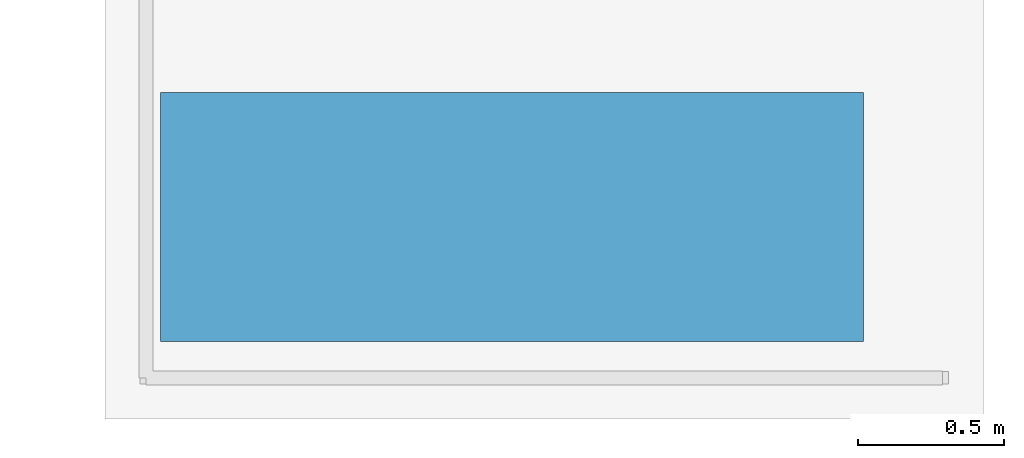
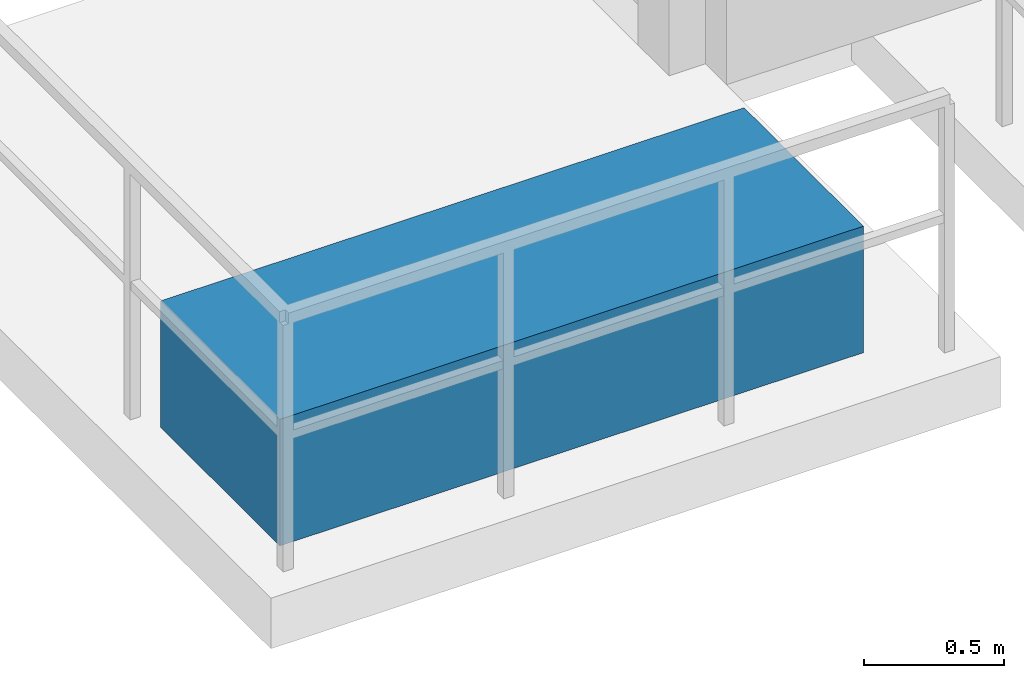
# One storey, part 22 of 26: 1 building element part.
"""IFC4 building model written with IfcOpenShell, lengths in metres."""

from ifc_helpers import new_model, si_unit, direction, frame, origin, origin_2d, place, context, subcontext, project, spatial, rectangle, extrude, material, layer, layer_set, type_object, element, save


model = new_model("IFC4")

# Units and contexts
model_context = context("Model", 3, precision=1e-05, world=origin(), true_north=direction((0.0, 1.0)))
body_context = subcontext(model_context, "Body", "Model", "MODEL_VIEW")
ifc_project = project(units=[si_unit("LENGTHUNIT", "METRE"), si_unit("AREAUNIT", "SQUARE_METRE"), si_unit("VOLUMEUNIT", "CUBIC_METRE"), si_unit("PLANEANGLEUNIT", "RADIAN"), si_unit("MASSUNIT", "GRAM", prefix="KILO")], contexts=[model_context])

# Site, building, storey
site_placement = place(None, origin())
site = spatial("IfcSite", under=ifc_project, at=site_placement, CompositionType="ELEMENT")
building_placement = place(site_placement, origin())
building = spatial("IfcBuilding", under=site, at=building_placement, Name="Zuhayl Quay Hotel", CompositionType="ELEMENT")
storey_placement = place(building_placement, frame((0.0, 0.0, 247.050048828125)))
storey = spatial("IfcBuildingStorey", under=building, at=storey_placement, Name="L62", CompositionType="ELEMENT", Elevation=247.050048828125)

# Building element part
ifc_material = material(Name="Precast concrete C45/55", Category="concrete")
ifc_layer = layer(ifc_material, 0.550048828125, Name="Precast concrete C45/55", Category="concrete")
ifc_layer_set = layer_set([ifc_layer], Name="Precast concrete C45/55")
building_element_part_type = type_object("IfcBuildingElementPartType", Name="PT_PLANTER_KERB", PredefinedType="PRECASTPANEL", material=ifc_layer_set)
building_element_part_placement = place(storey_placement, frame((-18.409912109375, -1.409912109375, 0.0), z_axis=(0.0, 0.0, 1.0), x_axis=(1.0, 0.0, 0.0)))
element("IfcBuildingElementPart", 1, at=building_element_part_placement, inside=storey, type_object=building_element_part_type, Name="L62 Spiral Sky-Terrace Planter Box SW", PredefinedType="PRECASTPANEL", context=body_context, shape_type="SweptSolid", body=[
    extrude(rectangle(XDim=2.39990234375, YDim=0.85009765625, at=origin_2d()), origin(), (0.0, 0.0, 1.0), 0.550048828125),
])

save(model, "model.ifc")
